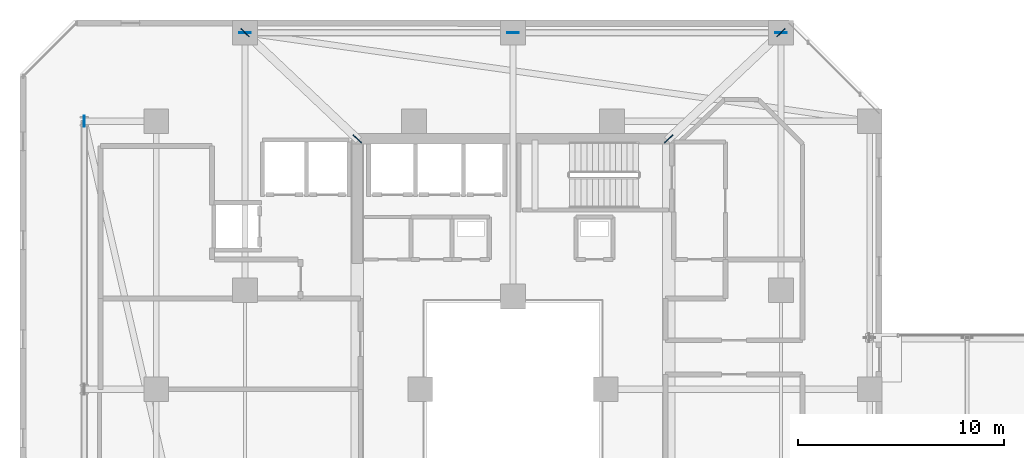
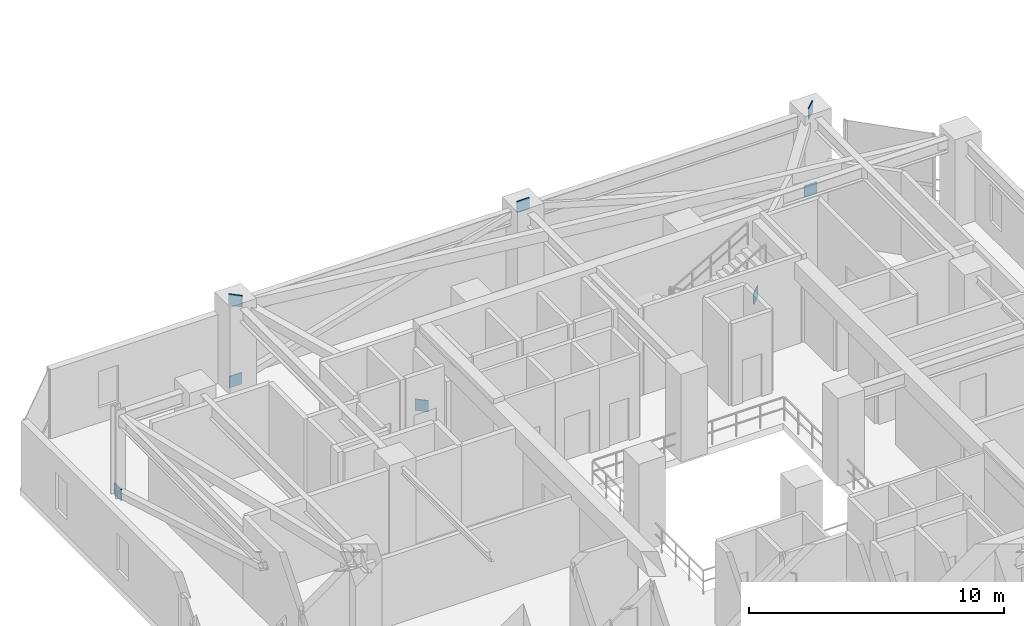
# One storey, part 31 of 45: 8 plates.
"""IFC4 building model written with IfcOpenShell, lengths in metres."""

from ifc_helpers import new_model, si_unit, direction, frame, origin, origin_2d, place, context, subcontext, project, spatial, rectangle, extrude, material, layer, layer_set, type_object, element, save


model = new_model("IFC4")

# Units and contexts
model_context = context("Model", 3, precision=1e-05, world=origin(), true_north=direction((0.0, 1.0)))
body_context = subcontext(model_context, "Body", "Model", "MODEL_VIEW")
ifc_project = project(units=[si_unit("LENGTHUNIT", "METRE"), si_unit("AREAUNIT", "SQUARE_METRE"), si_unit("VOLUMEUNIT", "CUBIC_METRE"), si_unit("PLANEANGLEUNIT", "RADIAN"), si_unit("MASSUNIT", "GRAM", prefix="KILO")], contexts=[model_context])

# Site, building, storey
site_placement = place(None, origin())
site = spatial("IfcSite", under=ifc_project, at=site_placement, CompositionType="ELEMENT")
building_placement = place(site_placement, origin())
building = spatial("IfcBuilding", under=site, at=building_placement, Name="Thornwick Lancets Civic Towers", CompositionType="ELEMENT")
storey_placement = place(building_placement, frame((0.0, 0.0, 141.300048828125)))
storey = spatial("IfcBuildingStorey", under=building, at=storey_placement, Name="L37", CompositionType="ELEMENT", Elevation=141.300048828125)

# Plates
ifc_material = material(Name="Steel S460M", Category="steel")
ifc_layer = layer(ifc_material, 0.0400390625, Name="Steel S460M")
ifc_layer_set = layer_set([ifc_layer], Name="Steel S460M")
plate_type = type_object("IfcPlateType", Name="PLT_GUSSET_40", PredefinedType="USERDEFINED", material=ifc_layer_set)
for number, where, z_axis, x_axis, name in (
    (1, (12.5, 44.300048828125, -0.125), (0.0, 0.0, 1.0), (1.0, 0.0, 0.0), "L37 Brace Connection Gusset Plate 0210"),
    (2, (25.5, 44.300048828125, 3.68505859375), (0.0, 0.0, 1.0), (1.0, 0.0, 0.0), "L37 Brace Connection Gusset Plate 0211"),
    (3, (38.5, 44.300048828125, -0.125), (0.0, 0.0, 1.0), (-1.0, 0.0, 0.0), "L37 Brace Connection Gusset Plate 0212"),
    (4, (4.699951171875, 40.0, -0.125), (0.0, 0.0, 1.0), (0.0, -1.0, 0.0), "L37 Brace Connection Gusset Plate 0215"),
    (5, (33.050048828125, 39.14990234375, -0.125), (0.0, 0.0, 1.0), (0.726814465487, 0.686833846544, 0.0), "L37 Brace Connection Gusset Plate 0220"),
    (6, (38.5, 44.300048828125, 3.68505859375), (0.0, 0.0, 1.0), (0.726814465487, 0.686833846544, 0.0), "L37 Brace Connection Gusset Plate 0221"),
    (7, (17.949951171875, 39.14990234375, -0.125), (0.0, 0.0, 1.0), (-0.726814465487, 0.686833846544, 0.0), "L37 Brace Connection Gusset Plate 0222"),
    (8, (12.5, 44.300048828125, 3.68505859375), (0.0, 0.0, 1.0), (-0.726814465487, 0.686833846544, 0.0), "L37 Brace Connection Gusset Plate 0223"),
):
    element("IfcPlate", number, at=place(storey_placement, frame(where, z_axis=z_axis, x_axis=x_axis)), inside=storey, type_object=plate_type, Name=name, ObjectType="GUSSET_PLATE", PredefinedType="USERDEFINED", context=body_context, shape_type="SweptSolid", body=[
        extrude(rectangle(XDim=0.550048828125, YDim=0.0400390625, at=origin_2d()), origin(), (0.0, 0.0, 1.0), 0.550048828125),
    ])

save(model, "model.ifc")
